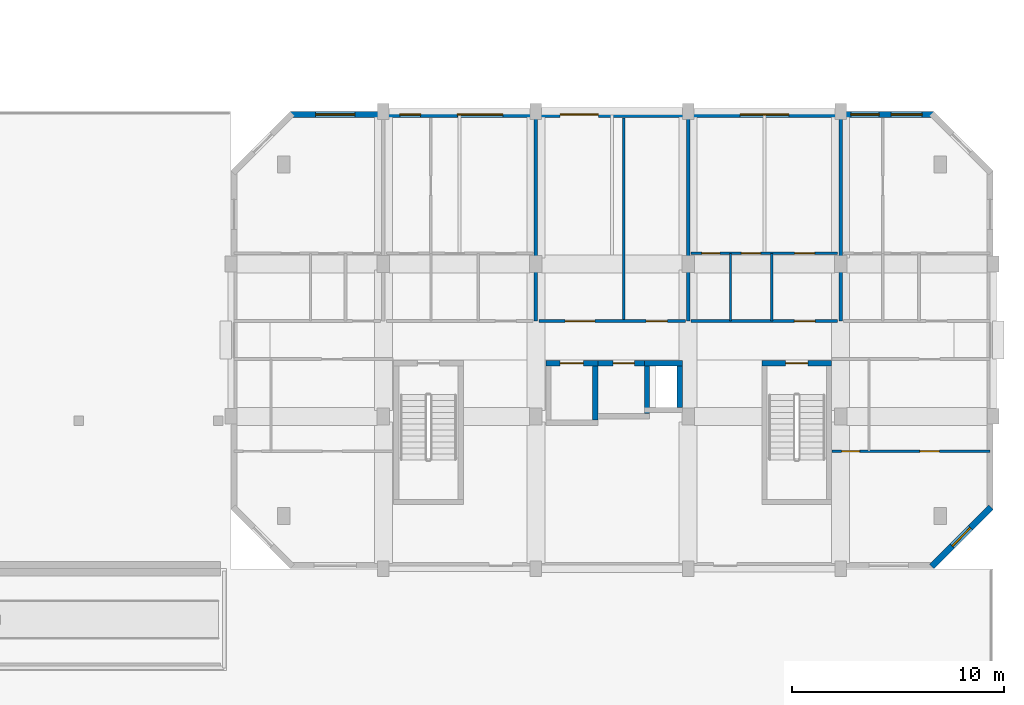
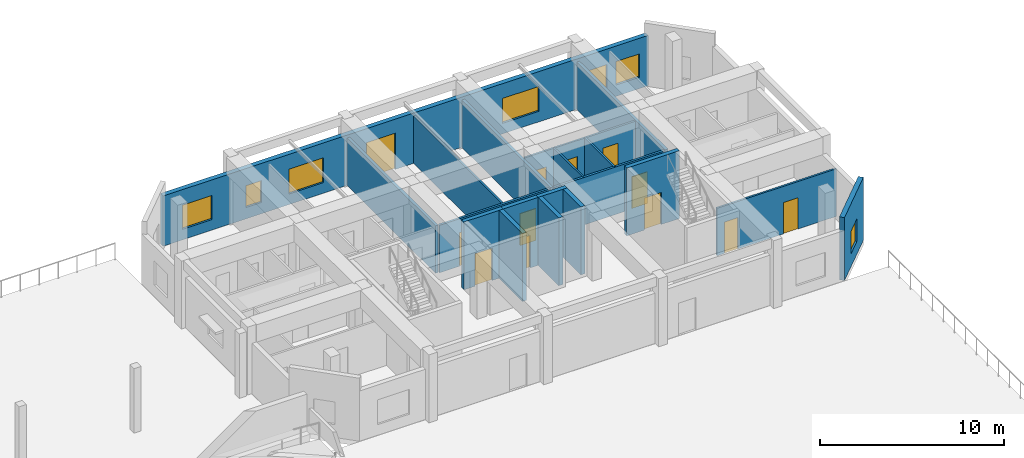
# One storey, part 69 of 85: 19 walls, 12 doors, 7 windows, 19 openings.
"""IFC4 building model written with IfcOpenShell, lengths in metres."""

from ifc_helpers import new_model, si_unit, direction, frame, frame_2d, origin, place, context, subcontext, project, spatial, rectangle, extrude, material, layer, layer_set, type_object, element, fill, save


model = new_model("IFC4")

# Units and contexts
model_context = context("Model", 3, precision=1e-05, world=origin(), true_north=direction((0.0, 1.0)))
body_context = subcontext(model_context, "Body", "Model", "MODEL_VIEW")
ifc_project = project(units=[si_unit("LENGTHUNIT", "METRE"), si_unit("AREAUNIT", "SQUARE_METRE"), si_unit("VOLUMEUNIT", "CUBIC_METRE"), si_unit("PLANEANGLEUNIT", "RADIAN"), si_unit("MASSUNIT", "GRAM", prefix="KILO")], contexts=[model_context])

# Site, building, storey
site_placement = place(None, origin())
site = spatial("IfcSite", under=ifc_project, at=site_placement, CompositionType="ELEMENT")
building_placement = place(site_placement, origin())
building = spatial("IfcBuilding", under=site, at=building_placement, Name="Ochrevale Crest", CompositionType="ELEMENT")
storey_placement = place(building_placement, origin())
storey = spatial("IfcBuildingStorey", under=building, at=storey_placement, Name="L00", CompositionType="ELEMENT", Elevation=0.0)

# Wall, openings, doors
ifc_material_1 = material(Name="Gypsum plasterboard", Category="gypsum")
ifc_layer_1 = layer(ifc_material_1, 0.139892578125)
ifc_layer_set_1 = layer_set([ifc_layer_1], Name="Gypsum plasterboard")
wall_type_1 = type_object("IfcWallType", Name="WL-COR-140", PredefinedType="PARTITIONING", material=ifc_layer_set_1)
wall_1_placement = place(storey_placement, frame((144.139892578125, 83.699951171875, 0.0), z_axis=(0.0, 0.0, 1.0), x_axis=(1.0, 0.0, 0.0)))
wall_1 = element("IfcWall", 1, at=wall_1_placement, inside=storey, type_object=wall_type_1, Name="Block D ground lobby corridor wall", PredefinedType="PARTITIONING", context=body_context, shape_type="SweptSolid", body=[
    extrude(rectangle(XDim=6.920166015625, YDim=0.139892578125, at=frame_2d((3.4599609375, 0.0))), origin(), (0.0, 0.0, 1.0), 3.14990234375),
])
opening_1_placement = place(wall_1_placement, frame((2.64990234375, 0.0, 0.0), z_axis=(0.0, 0.0, 1.0), x_axis=(-1.0, 0.0, 0.0)))
opening_1 = element("IfcOpeningElement", 2, at=opening_1_placement, cuts=wall_1, Name="Opening ID10", PredefinedType="OPENING", context=body_context, shape_type="SweptSolid", body=[
    extrude(rectangle(XDim=1.39990234375, YDim=2.219970703125, at=frame_2d((0.699951171875, 1.10986328125))), frame((0.0, 0.080078125, 0.0), z_axis=(0.0, -1.0, 0.0), x_axis=(1.0, 0.0, 0.0)), (0.0, 0.0, 1.0), 0.159912109375),
])
opening_2_placement = place(wall_1_placement, frame((5.070068359375, 0.0, 0.0)))
opening_2 = element("IfcOpeningElement", 3, at=opening_2_placement, cuts=wall_1, Name="Opening ID07", PredefinedType="OPENING", context=body_context, shape_type="SweptSolid", body=[
    extrude(rectangle(XDim=1.0, YDim=2.1201171875, at=frame_2d((0.5, 1.06005859375))), frame((0.0, 0.080078125, 0.0), z_axis=(0.0, -1.0, 0.0), x_axis=(1.0, 0.0, 0.0)), (0.0, 0.0, 1.0), 0.159912109375),
])
ifc_material_2 = material(Name="Solid-core FSC hardwood", Category="wood")
door_type_1 = type_object("IfcDoorType", Name="DR-INT-1000", OperationType="NOTDEFINED", PredefinedType="DOOR", material=ifc_material_2)
door_1_placement = place(opening_2_placement, origin())
door_1 = element("IfcDoor", 4, at=door_1_placement, inside=storey, type_object=door_type_1, Name="Block D mail room door", OperationType="SINGLE_SWING_LEFT", OverallHeight=2.1201171875, OverallWidth=1.0, PredefinedType="DOOR", context=body_context, shape_type="SweptSolid", body=[
    extrude(rectangle(XDim=1.0, YDim=2.1201171875, at=frame_2d((0.5, 1.06005859375))), frame((0.0, 0.02490234375, 0.0), z_axis=(0.0, -1.0, 0.0), x_axis=(1.0, 0.0, 0.0)), (0.0, 0.0, 1.0), 0.050048828125),
])
fill(opening_2, door_1)
door_type_2 = type_object("IfcDoorType", Name="DR-INT-1400", OperationType="NOTDEFINED", PredefinedType="DOOR", material=ifc_material_2)
door_2_placement = place(opening_1_placement, origin())
door_2 = element("IfcDoor", 5, at=door_2_placement, inside=storey, type_object=door_type_2, Name="Block D entrance lobby inner door", OperationType="DOUBLE_DOOR_SINGLE_SWING", OverallHeight=2.219970703125, OverallWidth=1.39990234375, PredefinedType="DOOR", context=body_context, shape_type="SweptSolid", body=[
    extrude(rectangle(XDim=1.39990234375, YDim=2.219970703125, at=frame_2d((0.699951171875, 1.10986328125))), frame((0.0, 0.02490234375, 0.0), z_axis=(0.0, -1.0, 0.0), x_axis=(1.0, 0.0, 0.0)), (0.0, 0.0, 1.0), 0.050048828125),
])
fill(opening_1, door_2)

# Wall, opening, door
wall_2_placement = place(storey_placement, frame((151.340087890625, 83.699951171875, 0.0), z_axis=(0.0, 0.0, 1.0), x_axis=(1.0, 0.0, 0.0)))
wall_2 = element("IfcWall", 6, at=wall_2_placement, inside=storey, type_object=wall_type_1, Name="Apartment D-L00-U4 corridor wall", PredefinedType="PARTITIONING", context=body_context, shape_type="SweptSolid", body=[
    extrude(rectangle(XDim=6.919921875, YDim=0.139892578125, at=frame_2d((3.4599609375, 0.0))), origin(), (0.0, 0.0, 1.0), 3.14990234375),
])
opening_3_placement = place(wall_2_placement, frame((5.85009765625, 0.0, 0.0), z_axis=(0.0, 0.0, 1.0), x_axis=(-1.0, 0.0, 0.0)))
opening_3 = element("IfcOpeningElement", 7, at=opening_3_placement, cuts=wall_2, Name="Opening FD01", PredefinedType="OPENING", context=body_context, shape_type="SweptSolid", body=[
    extrude(rectangle(XDim=0.97998046875, YDim=2.10009765625, at=frame_2d((0.489990234375, 1.050048828125))), frame((0.0, 0.080078125, 0.0), z_axis=(0.0, -1.0, 0.0), x_axis=(1.0, 0.0, 0.0)), (0.0, 0.0, 1.0), 0.159912109375),
])
door_type_3 = type_object("IfcDoorType", Name="DR-APT-950", OperationType="NOTDEFINED", PredefinedType="DOOR", material=ifc_material_2)
door_3_placement = place(opening_3_placement, origin())
door_3 = element("IfcDoor", 8, at=door_3_placement, inside=storey, type_object=door_type_3, Name="Apartment D-L00-U4 entrance door", OperationType="SINGLE_SWING_RIGHT", OverallHeight=2.10009765625, OverallWidth=0.97998046875, PredefinedType="DOOR", context=body_context, shape_type="SweptSolid", body=[
    extrude(rectangle(XDim=0.97998046875, YDim=2.10009765625, at=frame_2d((0.489990234375, 1.050048828125))), frame((0.0, 0.02490234375, 0.0), z_axis=(0.0, -1.0, 0.0), x_axis=(1.0, 0.0, 0.0)), (0.0, 0.0, 1.0), 0.050048828125),
])
fill(opening_3, door_3)

ifc_material_3 = material(Name="Precast concrete C50/60", Category="concrete")
ifc_layer_2 = layer(ifc_material_3, 0.2548828125)
ifc_layer_set_2 = layer_set([ifc_layer_2], Name="Precast concrete C50/60")
wall_type_2 = type_object("IfcWallType", Name="WL-CORE-255", PredefinedType="SHEAR", material=ifc_layer_set_2)
wall_3_placement = place(storey_placement, frame((154.672607421875, 81.699951171875, 0.0), z_axis=(0.0, 0.0, 1.0), x_axis=(1.0, 0.0, 0.0)))
wall_3 = element("IfcWall", 9, at=wall_3_placement, inside=storey, type_object=wall_type_2, Name="Block D L00 Stair 2 precast core shear wall N", PredefinedType="SHEAR", context=body_context, shape_type="SweptSolid", body=[
    extrude(rectangle(XDim=3.304931640625, YDim=0.2548828125, at=frame_2d((1.65234375, 0.0))), origin(), (0.0, 0.0, 1.0), 4.5),
])
opening_4_placement = place(wall_3_placement, frame((1.12744140625, 0.0, 0.0)))
opening_4 = element("IfcOpeningElement", 10, at=opening_4_placement, cuts=wall_3, Name="Opening FD03", PredefinedType="OPENING", context=body_context, shape_type="SweptSolid", body=[
    extrude(rectangle(XDim=1.050048828125, YDim=2.1201171875, at=frame_2d((0.52490234375, 1.06005859375))), frame((0.0, 0.137451171875, 0.0), z_axis=(0.0, -1.0, 0.0), x_axis=(1.0, 0.0, 0.0)), (0.0, 0.0, 1.0), 0.27490234375),
])
door_type_4 = type_object("IfcDoorType", Name="DR-ST-1050", OperationType="NOTDEFINED", PredefinedType="DOOR", material=ifc_material_2)
door_4_placement = place(opening_4_placement, origin())
door_4 = element("IfcDoor", 11, at=door_4_placement, inside=storey, type_object=door_type_4, Name="Block D L00 fire stair 2 door", OperationType="SINGLE_SWING_LEFT", OverallHeight=2.1201171875, OverallWidth=1.050048828125, PredefinedType="DOOR", context=body_context, shape_type="SweptSolid", body=[
    extrude(rectangle(XDim=1.050048828125, YDim=2.1201171875, at=frame_2d((0.52490234375, 1.06005859375))), frame((0.0, 0.02490234375, 0.0), z_axis=(0.0, -1.0, 0.0), x_axis=(1.0, 0.0, 0.0)), (0.0, 0.0, 1.0), 0.050048828125),
])
fill(opening_4, door_4)

wall_4_placement = place(storey_placement, frame((144.472412109375, 81.699951171875, 0.0), z_axis=(0.0, 0.0, 1.0), x_axis=(1.0, 0.0, 0.0)))
wall_4 = element("IfcWall", 12, at=wall_4_placement, inside=storey, type_object=wall_type_2, Name="Block D L00 Lift 1 precast shaft shear wall N", PredefinedType="SHEAR", context=body_context, shape_type="SweptSolid", body=[
    extrude(rectangle(XDim=2.455078125, YDim=0.2548828125, at=frame_2d((1.2275390625, 0.0))), origin(), (0.0, 0.0, 1.0), 4.5),
])
opening_5_placement = place(wall_4_placement, frame((0.677490234375, 0.0, 0.0)))
opening_5 = element("IfcOpeningElement", 13, at=opening_5_placement, cuts=wall_4, Name="Opening LD01", PredefinedType="OPENING", context=body_context, shape_type="SweptSolid", body=[
    extrude(rectangle(XDim=1.10009765625, YDim=2.14990234375, at=frame_2d((0.550048828125, 1.074951171875))), frame((0.0, 0.137451171875, 0.0), z_axis=(0.0, -1.0, 0.0), x_axis=(1.0, 0.0, 0.0)), (0.0, 0.0, 1.0), 0.27490234375),
])
door_type_5 = type_object("IfcDoorType", Name="DR-LIFT-1100", OperationType="NOTDEFINED", PredefinedType="DOOR", material=ifc_material_2)
door_5_placement = place(opening_5_placement, origin())
door_5 = element("IfcDoor", 14, at=door_5_placement, inside=storey, type_object=door_type_5, Name="Lift LF-D1 L00 sliding landing door", OperationType="SLIDING_TO_LEFT", OverallHeight=2.14990234375, OverallWidth=1.10009765625, PredefinedType="DOOR", context=body_context, shape_type="SweptSolid", body=[
    extrude(rectangle(XDim=1.10009765625, YDim=2.14990234375, at=frame_2d((0.550048828125, 1.074951171875))), frame((0.0, 0.02490234375, 0.0), z_axis=(0.0, -1.0, 0.0), x_axis=(1.0, 0.0, 0.0)), (0.0, 0.0, 1.0), 0.050048828125),
])
fill(opening_5, door_5)

# Wall
wall_5_placement = place(storey_placement, frame((146.800048828125, 79.027587890625, 0.0), z_axis=(0.0, 0.0, 1.0), x_axis=(0.0, 1.0, 0.0)))
element("IfcWall", 15, at=wall_5_placement, inside=storey, type_object=wall_type_2, Name="Block D L00 Lift 1 precast shaft shear wall E", PredefinedType="SHEAR", context=body_context, shape_type="SweptSolid", body=[
    extrude(rectangle(XDim=2.544921875, YDim=0.2548828125, at=frame_2d((1.2724609375, 0.0))), origin(), (0.0, 0.0, 1.0), 4.5),
])

# Wall, opening, door
wall_6_placement = place(storey_placement, frame((146.922607421875, 81.699951171875, 0.0), z_axis=(0.0, 0.0, 1.0), x_axis=(1.0, 0.0, 0.0)))
wall_6 = element("IfcWall", 16, at=wall_6_placement, inside=storey, type_object=wall_type_2, Name="Block D L00 Lift 2 precast shaft shear wall N", PredefinedType="SHEAR", context=body_context, shape_type="SweptSolid", body=[
    extrude(rectangle(XDim=2.454833984375, YDim=0.2548828125, at=frame_2d((1.2275390625, 0.0))), origin(), (0.0, 0.0, 1.0), 4.5),
])
opening_6_placement = place(wall_6_placement, frame((0.7275390625, 0.0, 0.0)))
opening_6 = element("IfcOpeningElement", 17, at=opening_6_placement, cuts=wall_6, Name="Opening LD02", PredefinedType="OPENING", context=body_context, shape_type="SweptSolid", body=[
    extrude(rectangle(XDim=1.0, YDim=2.14990234375, at=frame_2d((0.5, 1.074951171875))), frame((0.0, 0.137451171875, 0.0), z_axis=(0.0, -1.0, 0.0), x_axis=(1.0, 0.0, 0.0)), (0.0, 0.0, 1.0), 0.27490234375),
])
door_type_6 = type_object("IfcDoorType", Name="DR-LIFT-1000", OperationType="NOTDEFINED", PredefinedType="DOOR", material=ifc_material_2)
door_6_placement = place(opening_6_placement, origin())
door_6 = element("IfcDoor", 18, at=door_6_placement, inside=storey, type_object=door_type_6, Name="Lift LP-D2 L00 sliding landing door", OperationType="SLIDING_TO_RIGHT", OverallHeight=2.14990234375, OverallWidth=1.0, PredefinedType="DOOR", context=body_context, shape_type="SweptSolid", body=[
    extrude(rectangle(XDim=1.0, YDim=2.14990234375, at=frame_2d((0.5, 1.074951171875))), frame((0.0, 0.02490234375, 0.0), z_axis=(0.0, -1.0, 0.0), x_axis=(1.0, 0.0, 0.0)), (0.0, 0.0, 1.0), 0.050048828125),
])
fill(opening_6, door_6)

# Walls
wall_7_placement = place(storey_placement, frame((149.25, 79.327392578125, 0.0), z_axis=(0.0, 0.0, 1.0), x_axis=(0.0, 1.0, 0.0)))
element("IfcWall", 19, at=wall_7_placement, inside=storey, type_object=wall_type_2, Name="Block D L00 Lift 2 precast shaft shear wall E", PredefinedType="SHEAR", context=body_context, shape_type="SweptSolid", body=[
    extrude(rectangle(XDim=2.2451171875, YDim=0.2548828125, at=frame_2d((1.12255859375, 0.0))), origin(), (0.0, 0.0, 1.0), 4.5),
])
wall_8_placement = place(storey_placement, frame((149.12255859375, 81.699951171875, 0.0), z_axis=(0.0, 0.0, 1.0), x_axis=(1.0, 0.0, 0.0)))
element("IfcWall", 20, at=wall_8_placement, inside=storey, type_object=wall_type_2, Name="Block D L00 services riser shaft core wall N", PredefinedType="SHEAR", context=body_context, shape_type="SweptSolid", body=[
    extrude(rectangle(XDim=1.804931640625, YDim=0.2548828125, at=frame_2d((0.90234375, 0.0))), origin(), (0.0, 0.0, 1.0), 4.5),
])
wall_9_placement = place(storey_placement, frame((150.800048828125, 79.62744140625, 0.0), z_axis=(0.0, 0.0, 1.0), x_axis=(0.0, 1.0, 0.0)))
element("IfcWall", 21, at=wall_9_placement, inside=storey, type_object=wall_type_2, Name="Block D L00 services riser shaft core wall E", PredefinedType="SHEAR", context=body_context, shape_type="SweptSolid", body=[
    extrude(rectangle(XDim=1.945068359375, YDim=0.2548828125, at=frame_2d((0.97265625, 0.0))), origin(), (0.0, 0.0, 1.0), 4.5),
])

# Wall, opening, window
ifc_material_4 = material(Name="Clay face brickwork", Category="masonry")
ifc_layer_3 = layer(ifc_material_4, 0.2900390625)
ifc_layer_set_3 = layer_set([ifc_layer_3], Name="Clay face brickwork")
wall_type_3 = type_object("IfcWallType", Name="WL-EXT-BRICK-290", PredefinedType="SOLIDWALL", material=ifc_layer_set_3)
wall_10_placement = place(storey_placement, frame((162.697509765625, 72.1025390625, 0.0), z_axis=(0.0, 0.0, 1.0), x_axis=(0.707106781187, 0.707106781187, 0.0)))
wall_10 = element("IfcWall", 22, at=wall_10_placement, inside=storey, type_object=wall_type_3, Name="Block D L00 external facade wall E2", PredefinedType="SOLIDWALL", context=body_context, shape_type="SweptSolid", body=[
    extrude(rectangle(XDim=3.9599609375, YDim=0.2900390625, at=frame_2d((1.97998046875, 0.0))), origin(), (0.0, 0.0, 1.0), 4.175048828125),
])
opening_7_placement = place(wall_10_placement, frame((1.369873046875, 0.0, 0.85009765625)))
opening_7 = element("IfcOpeningElement", 23, at=opening_7_placement, cuts=wall_10, Name="Opening W06", PredefinedType="OPENING", context=body_context, shape_type="SweptSolid", body=[
    extrude(rectangle(XDim=1.219970703125, YDim=1.5, at=frame_2d((0.60986328125, 0.75))), frame((0.0, 0.155029296875, 0.0), z_axis=(0.0, -1.0, 0.0), x_axis=(1.0, 0.0, 0.0)), (0.0, 0.0, 1.0), 0.31005859375),
])
ifc_material_5 = material(Name="Anodised aluminium 6063-T5 and low-E double glazing", Category="aluminium")
window_type_1 = type_object("IfcWindowType", Name="WIN-W06", PartitioningType="SINGLE_PANEL", PredefinedType="WINDOW", material=ifc_material_5)
window_1_placement = place(opening_7_placement, origin())
window_1 = element("IfcWindow", 24, at=window_1_placement, inside=storey, type_object=window_type_1, Name="Block D L00 corner room casement window 2", OverallHeight=1.5, OverallWidth=1.219970703125, PartitioningType="SINGLE_PANEL", PredefinedType="WINDOW", context=body_context, shape_type="SweptSolid", body=[
    extrude(rectangle(XDim=1.219970703125, YDim=1.5, at=frame_2d((0.60986328125, 0.75))), frame((0.0, 0.030029296875, 0.0), z_axis=(0.0, -1.0, 0.0), x_axis=(1.0, 0.0, 0.0)), (0.0, 0.0, 1.0), 0.06005859375),
])
fill(opening_7, window_1)

# Wall, openings, door, windows
wall_11_placement = place(storey_placement, frame((162.800048828125, 93.455078125, 0.0), z_axis=(0.0, 0.0, 1.0), x_axis=(-1.0, 0.0, 0.0)))
wall_11 = element("IfcWall", 25, at=wall_11_placement, inside=storey, type_object=wall_type_3, Name="Block D L00 external facade wall E5", PredefinedType="SOLIDWALL", context=body_context, shape_type="SweptSolid", body=[
    extrude(rectangle(XDim=30.400146484375, YDim=0.2900390625, at=frame_2d((15.2001953125, 0.0))), origin(), (0.0, 0.0, 1.0), 3.330078125),
])
opening_8_placement = place(wall_11_placement, frame((17.650146484375, 0.0, 0.0), z_axis=(0.0, 0.0, 1.0), x_axis=(-1.0, 0.0, 0.0)))
opening_8 = element("IfcOpeningElement", 26, at=opening_8_placement, cuts=wall_11, Name="Opening ED01", PredefinedType="OPENING", context=body_context, shape_type="SweptSolid", body=[
    extrude(rectangle(XDim=1.800048828125, YDim=2.39990234375, at=frame_2d((0.89990234375, 1.199951171875))), frame((0.0, 0.155029296875, 0.0), z_axis=(0.0, -1.0, 0.0), x_axis=(1.0, 0.0, 0.0)), (0.0, 0.0, 1.0), 0.31005859375),
])
opening_9_placement = place(wall_11_placement, frame((27.342529296875, 0.0, 0.699951171875)))
opening_9 = element("IfcOpeningElement", 27, at=opening_9_placement, cuts=wall_11, Name="Opening W11", PredefinedType="OPENING", context=body_context, shape_type="SweptSolid", body=[
    extrude(rectangle(XDim=1.860107421875, YDim=1.60009765625, at=frame_2d((0.93017578125, 0.800048828125))), frame((0.0, 0.155029296875, 0.0), z_axis=(0.0, -1.0, 0.0), x_axis=(1.0, 0.0, 0.0)), (0.0, 0.0, 1.0), 0.31005859375),
])
opening_10_placement = place(wall_11_placement, frame((24.237548828125, 0.0, 0.75)))
opening_10 = element("IfcOpeningElement", 28, at=opening_10_placement, cuts=wall_11, Name="Opening W04", PredefinedType="OPENING", context=body_context, shape_type="SweptSolid", body=[
    extrude(rectangle(XDim=0.97998046875, YDim=1.449951171875, at=frame_2d((0.489990234375, 0.72509765625))), frame((0.0, 0.155029296875, 0.0), z_axis=(0.0, -1.0, 0.0), x_axis=(1.0, 0.0, 0.0)), (0.0, 0.0, 1.0), 0.31005859375),
])
opening_11_placement = place(wall_11_placement, frame((20.357421875, 0.0, 0.699951171875)))
opening_11 = element("IfcOpeningElement", 29, at=opening_11_placement, cuts=wall_11, Name="Opening W13", PredefinedType="OPENING", context=body_context, shape_type="SweptSolid", body=[
    extrude(rectangle(XDim=2.14990234375, YDim=1.64990234375, at=frame_2d((1.074951171875, 0.824951171875))), frame((0.0, 0.155029296875, 0.0), z_axis=(0.0, -1.0, 0.0), x_axis=(1.0, 0.0, 0.0)), (0.0, 0.0, 1.0), 0.31005859375),
])
opening_12_placement = place(wall_11_placement, frame((6.85009765625, 0.0, 0.699951171875)))
opening_12 = element("IfcOpeningElement", 30, at=opening_12_placement, cuts=wall_11, Name="Opening W14", PredefinedType="OPENING", context=body_context, shape_type="SweptSolid", body=[
    extrude(rectangle(XDim=2.300048828125, YDim=1.64990234375, at=frame_2d((1.14990234375, 0.824951171875))), frame((0.0, 0.155029296875, 0.0), z_axis=(0.0, -1.0, 0.0), x_axis=(1.0, 0.0, 0.0)), (0.0, 0.0, 1.0), 0.31005859375),
])
opening_13_placement = place(wall_11_placement, frame((2.58251953125, 0.0, 0.75)))
opening_13 = element("IfcOpeningElement", 31, at=opening_13_placement, cuts=wall_11, Name="Opening W07", PredefinedType="OPENING", context=body_context, shape_type="SweptSolid", body=[
    extrude(rectangle(XDim=1.340087890625, YDim=1.550048828125, at=frame_2d((0.669921875, 0.77490234375))), frame((0.0, 0.155029296875, 0.0), z_axis=(0.0, -1.0, 0.0), x_axis=(1.0, 0.0, 0.0)), (0.0, 0.0, 1.0), 0.31005859375),
])
opening_14_placement = place(wall_11_placement, frame((0.554931640625, 0.0, 0.75)))
opening_14 = element("IfcOpeningElement", 32, at=opening_14_placement, cuts=wall_11, Name="Opening W08", PredefinedType="OPENING", context=body_context, shape_type="SweptSolid", body=[
    extrude(rectangle(XDim=1.4599609375, YDim=1.550048828125, at=frame_2d((0.72998046875, 0.77490234375))), frame((0.0, 0.155029296875, 0.0), z_axis=(0.0, -1.0, 0.0), x_axis=(1.0, 0.0, 0.0)), (0.0, 0.0, 1.0), 0.31005859375),
])
ifc_material_6 = material(Name="Anodised aluminium 6063-T5 and toughened glass", Category="aluminium")
door_type_7 = type_object("IfcDoorType", Name="DR-EXT-1800", OperationType="NOTDEFINED", PredefinedType="DOOR", material=ifc_material_6)
door_7_placement = place(opening_8_placement, origin())
door_7 = element("IfcDoor", 33, at=door_7_placement, inside=storey, type_object=door_type_7, Name="Block D main ground entrance double door", OperationType="DOUBLE_DOOR_SINGLE_SWING", OverallHeight=2.39990234375, OverallWidth=1.800048828125, PredefinedType="DOOR", context=body_context, shape_type="SweptSolid", body=[
    extrude(rectangle(XDim=1.800048828125, YDim=2.39990234375, at=frame_2d((0.89990234375, 1.199951171875))), frame((0.0, 0.02490234375, 0.0), z_axis=(0.0, -1.0, 0.0), x_axis=(1.0, 0.0, 0.0)), (0.0, 0.0, 1.0), 0.050048828125),
])
fill(opening_8, door_7)
window_type_2 = type_object("IfcWindowType", Name="WIN-W04", PartitioningType="SINGLE_PANEL", PredefinedType="WINDOW", material=ifc_material_5)
window_2_placement = place(opening_10_placement, origin())
window_2 = element("IfcWindow", 34, at=window_2_placement, inside=storey, type_object=window_type_2, Name="Block D L00 Apartment D-L00-U2 Master Bedroom window", OverallHeight=1.449951171875, OverallWidth=0.97998046875, PartitioningType="SINGLE_PANEL", PredefinedType="WINDOW", context=body_context, shape_type="SweptSolid", body=[
    extrude(rectangle(XDim=0.97998046875, YDim=1.449951171875, at=frame_2d((0.489990234375, 0.72509765625))), frame((0.0, 0.030029296875, 0.0), z_axis=(0.0, -1.0, 0.0), x_axis=(1.0, 0.0, 0.0)), (0.0, 0.0, 1.0), 0.06005859375),
])
fill(opening_10, window_2)
window_type_3 = type_object("IfcWindowType", Name="WIN-W07", PartitioningType="SINGLE_PANEL", PredefinedType="WINDOW", material=ifc_material_5)
window_3_placement = place(opening_13_placement, origin())
window_3 = element("IfcWindow", 35, at=window_3_placement, inside=storey, type_object=window_type_3, Name="Block D L00 Apartment D-L00-U5 Double Bedroom window", OverallHeight=1.550048828125, OverallWidth=1.340087890625, PartitioningType="SINGLE_PANEL", PredefinedType="WINDOW", context=body_context, shape_type="SweptSolid", body=[
    extrude(rectangle(XDim=1.340087890625, YDim=1.550048828125, at=frame_2d((0.669921875, 0.77490234375))), frame((0.0, 0.030029296875, 0.0), z_axis=(0.0, -1.0, 0.0), x_axis=(1.0, 0.0, 0.0)), (0.0, 0.0, 1.0), 0.06005859375),
])
fill(opening_13, window_3)
window_type_4 = type_object("IfcWindowType", Name="WIN-W08", PartitioningType="SINGLE_PANEL", PredefinedType="WINDOW", material=ifc_material_5)
window_4_placement = place(opening_14_placement, origin())
window_4 = element("IfcWindow", 36, at=window_4_placement, inside=storey, type_object=window_type_4, Name="Block D L00 Apartment D-L00-U5 Two Bedroom Living Room window", OverallHeight=1.550048828125, OverallWidth=1.4599609375, PartitioningType="SINGLE_PANEL", PredefinedType="WINDOW", context=body_context, shape_type="SweptSolid", body=[
    extrude(rectangle(XDim=1.4599609375, YDim=1.550048828125, at=frame_2d((0.72998046875, 0.77490234375))), frame((0.0, 0.030029296875, 0.0), z_axis=(0.0, -1.0, 0.0), x_axis=(1.0, 0.0, 0.0)), (0.0, 0.0, 1.0), 0.06005859375),
])
fill(opening_14, window_4)
window_type_5 = type_object("IfcWindowType", Name="WIN-W11", PartitioningType="SINGLE_PANEL", PredefinedType="WINDOW", material=ifc_material_5)
window_5_placement = place(opening_9_placement, origin())
window_5 = element("IfcWindow", 37, at=window_5_placement, inside=storey, type_object=window_type_5, Name="Block D L00 Studio D-L00-U1 Living Room window", OverallHeight=1.60009765625, OverallWidth=1.860107421875, PartitioningType="SINGLE_PANEL", PredefinedType="WINDOW", context=body_context, shape_type="SweptSolid", body=[
    extrude(rectangle(XDim=1.860107421875, YDim=1.60009765625, at=frame_2d((0.93017578125, 0.800048828125))), frame((0.0, 0.030029296875, 0.0), z_axis=(0.0, -1.0, 0.0), x_axis=(1.0, 0.0, 0.0)), (0.0, 0.0, 1.0), 0.06005859375),
])
fill(opening_9, window_5)
window_type_6 = type_object("IfcWindowType", Name="WIN-W13", PartitioningType="SINGLE_PANEL", PredefinedType="WINDOW", material=ifc_material_5)
window_6_placement = place(opening_11_placement, origin())
window_6 = element("IfcWindow", 38, at=window_6_placement, inside=storey, type_object=window_type_6, Name="Block D L00 Apartment D-L00-U2 One Bedroom Living Room window", OverallHeight=1.64990234375, OverallWidth=2.14990234375, PartitioningType="SINGLE_PANEL", PredefinedType="WINDOW", context=body_context, shape_type="SweptSolid", body=[
    extrude(rectangle(XDim=2.14990234375, YDim=1.64990234375, at=frame_2d((1.074951171875, 0.824951171875))), frame((0.0, 0.030029296875, 0.0), z_axis=(0.0, -1.0, 0.0), x_axis=(1.0, 0.0, 0.0)), (0.0, 0.0, 1.0), 0.06005859375),
])
fill(opening_11, window_6)
window_type_7 = type_object("IfcWindowType", Name="WIN-W14", PartitioningType="SINGLE_PANEL", PredefinedType="WINDOW", material=ifc_material_5)
window_7_placement = place(opening_12_placement, origin())
window_7 = element("IfcWindow", 39, at=window_7_placement, inside=storey, type_object=window_type_7, Name="Block D L00 Studio D-L00-U4 Living Room window", OverallHeight=1.64990234375, OverallWidth=2.300048828125, PartitioningType="SINGLE_PANEL", PredefinedType="WINDOW", context=body_context, shape_type="SweptSolid", body=[
    extrude(rectangle(XDim=2.300048828125, YDim=1.64990234375, at=frame_2d((1.14990234375, 0.824951171875))), frame((0.0, 0.030029296875, 0.0), z_axis=(0.0, -1.0, 0.0), x_axis=(1.0, 0.0, 0.0)), (0.0, 0.0, 1.0), 0.06005859375),
])
fill(opening_12, window_7)

# Walls
ifc_layer_4 = layer(ifc_material_1, 0.1201171875)
ifc_layer_set_4 = layer_set([ifc_layer_4], Name="Gypsum plasterboard")
wall_type_4 = type_object("IfcWallType", Name="WL-PART-120", PredefinedType="PARTITIONING", material=ifc_layer_set_4)
wall_12_placement = place(storey_placement, frame((148.153564453125, 83.699951171875, 0.0), z_axis=(0.0, 0.0, 1.0), x_axis=(0.0, 1.0, 0.0)))
element("IfcWall", 40, at=wall_12_placement, inside=storey, type_object=wall_type_4, Name="Block D lobby-mail divider", PredefinedType="PARTITIONING", context=body_context, shape_type="SweptSolid", body=[
    extrude(rectangle(XDim=9.60009765625, YDim=0.1201171875, at=frame_2d((4.800048828125, 0.0))), origin(), (0.0, 0.0, 1.0), 3.14990234375),
])
wall_13_placement = place(storey_placement, frame((155.139892578125, 83.699951171875, 0.0), z_axis=(0.0, 0.0, 1.0), x_axis=(0.0, 1.0, 0.0)))
element("IfcWall", 41, at=wall_13_placement, inside=storey, type_object=wall_type_4, Name="Apartment D-L00-U4 kitchen-foyer wall", PredefinedType="PARTITIONING", context=body_context, shape_type="SweptSolid", body=[
    extrude(rectangle(XDim=3.199951171875, YDim=0.1201171875, at=frame_2d((1.60009765625, 0.0))), origin(), (0.0, 0.0, 1.0), 3.14990234375),
])

# Wall, openings, doors
wall_14_placement = place(storey_placement, frame((151.340087890625, 86.89990234375, 0.0), z_axis=(0.0, 0.0, 1.0), x_axis=(1.0, 0.0, 0.0)))
wall_14 = element("IfcWall", 42, at=wall_14_placement, inside=storey, type_object=wall_type_4, Name="Apartment D-L00-U4 central partition", PredefinedType="PARTITIONING", context=body_context, shape_type="SweptSolid", body=[
    extrude(rectangle(XDim=6.919921875, YDim=0.1201171875, at=frame_2d((3.4599609375, 0.0))), origin(), (0.0, 0.0, 1.0), 3.14990234375),
])
opening_15_placement = place(wall_14_placement, frame((0.5, 0.0, 0.0)))
opening_15 = element("IfcOpeningElement", 43, at=opening_15_placement, cuts=wall_14, Name="Opening ID01", PredefinedType="OPENING", context=body_context, shape_type="SweptSolid", body=[
    extrude(rectangle(XDim=0.85009765625, YDim=2.080078125, at=frame_2d((0.425048828125, 1.0400390625))), frame((0.0, 0.070068359375, 0.0), z_axis=(0.0, -1.0, 0.0), x_axis=(1.0, 0.0, 0.0)), (0.0, 0.0, 1.0), 0.14013671875),
])
opening_16_placement = place(wall_14_placement, frame((3.27490234375, 0.0, 0.0), z_axis=(0.0, 0.0, 1.0), x_axis=(-1.0, 0.0, 0.0)))
opening_16 = element("IfcOpeningElement", 44, at=opening_16_placement, cuts=wall_14, Name="Opening ID02", PredefinedType="OPENING", context=body_context, shape_type="SweptSolid", body=[
    extrude(rectangle(XDim=0.89990234375, YDim=2.080078125, at=frame_2d((0.449951171875, 1.0400390625))), frame((0.0, 0.070068359375, 0.0), z_axis=(0.0, -1.0, 0.0), x_axis=(1.0, 0.0, 0.0)), (0.0, 0.0, 1.0), 0.14013671875),
])
opening_17_placement = place(wall_14_placement, frame((4.885009765625, 0.0, 0.0)))
opening_17 = element("IfcOpeningElement", 45, at=opening_17_placement, cuts=wall_14, Name="Opening ID06", PredefinedType="OPENING", context=body_context, shape_type="SweptSolid", body=[
    extrude(rectangle(XDim=0.949951171875, YDim=2.080078125, at=frame_2d((0.47509765625, 1.0400390625))), frame((0.0, 0.070068359375, 0.0), z_axis=(0.0, -1.0, 0.0), x_axis=(1.0, 0.0, 0.0)), (0.0, 0.0, 1.0), 0.14013671875),
])
door_type_8 = type_object("IfcDoorType", Name="DR-INT-900", OperationType="NOTDEFINED", PredefinedType="DOOR", material=ifc_material_2)
door_8_placement = place(opening_16_placement, origin())
door_8 = element("IfcDoor", 46, at=door_8_placement, inside=storey, type_object=door_type_8, Name="Apartment D-L00-U4 Kitchen door", OperationType="SINGLE_SWING_RIGHT", OverallHeight=2.080078125, OverallWidth=0.89990234375, PredefinedType="DOOR", context=body_context, shape_type="SweptSolid", body=[
    extrude(rectangle(XDim=0.89990234375, YDim=2.080078125, at=frame_2d((0.449951171875, 1.0400390625))), frame((0.0, 0.02490234375, 0.0), z_axis=(0.0, -1.0, 0.0), x_axis=(1.0, 0.0, 0.0)), (0.0, 0.0, 1.0), 0.050048828125),
])
fill(opening_16, door_8)
door_type_9 = type_object("IfcDoorType", Name="DR-INT-950", OperationType="NOTDEFINED", PredefinedType="DOOR", material=ifc_material_2)
door_9_placement = place(opening_17_placement, origin())
door_9 = element("IfcDoor", 47, at=door_9_placement, inside=storey, type_object=door_type_9, Name="Apartment D-L00-U4 Living Foyer door", OperationType="SINGLE_SWING_LEFT", OverallHeight=2.080078125, OverallWidth=0.949951171875, PredefinedType="DOOR", context=body_context, shape_type="SweptSolid", body=[
    extrude(rectangle(XDim=0.949951171875, YDim=2.080078125, at=frame_2d((0.47509765625, 1.0400390625))), frame((0.0, 0.02490234375, 0.0), z_axis=(0.0, -1.0, 0.0), x_axis=(1.0, 0.0, 0.0)), (0.0, 0.0, 1.0), 0.050048828125),
])
fill(opening_17, door_9)
door_type_10 = type_object("IfcDoorType", Name="DR-WC-850", OperationType="NOTDEFINED", PredefinedType="DOOR", material=ifc_material_2)
door_10_placement = place(opening_15_placement, origin())
door_10 = element("IfcDoor", 48, at=door_10_placement, inside=storey, type_object=door_type_10, Name="Apartment D-L00-U4 Bathroom door", OperationType="SINGLE_SWING_LEFT", OverallHeight=2.080078125, OverallWidth=0.85009765625, PredefinedType="DOOR", context=body_context, shape_type="SweptSolid", body=[
    extrude(rectangle(XDim=0.85009765625, YDim=2.080078125, at=frame_2d((0.425048828125, 1.0400390625))), frame((0.0, 0.02490234375, 0.0), z_axis=(0.0, -1.0, 0.0), x_axis=(1.0, 0.0, 0.0)), (0.0, 0.0, 1.0), 0.050048828125),
])
fill(opening_15, door_10)

wall_15_placement = place(storey_placement, frame((157.989990234375, 77.550048828125, 0.0), z_axis=(0.0, 0.0, 1.0), x_axis=(1.0, 0.0, 0.0)))
wall_15 = element("IfcWall", 49, at=wall_15_placement, inside=storey, type_object=wall_type_4, Name="Suite D-L00-CE internal wall", PredefinedType="PARTITIONING", context=body_context, shape_type="SweptSolid", body=[
    extrude(rectangle(XDim=7.469970703125, YDim=0.1201171875, at=frame_2d((3.73486328125, 0.0))), origin(), (0.0, 0.0, 1.0), 3.14990234375),
])
opening_18_placement = place(wall_15_placement, frame((0.449951171875, 0.0, 0.0)))
opening_18 = element("IfcOpeningElement", 50, at=opening_18_placement, cuts=wall_15, Name="Opening ID01", PredefinedType="OPENING", context=body_context, shape_type="SweptSolid", body=[
    extrude(rectangle(XDim=0.85009765625, YDim=2.080078125, at=frame_2d((0.425048828125, 1.0400390625))), frame((0.0, 0.070068359375, 0.0), z_axis=(0.0, -1.0, 0.0), x_axis=(1.0, 0.0, 0.0)), (0.0, 0.0, 1.0), 0.14013671875),
])
opening_19_placement = place(wall_15_placement, frame((5.06982421875, 0.0, 0.0), z_axis=(0.0, 0.0, 1.0), x_axis=(-1.0, 0.0, 0.0)))
opening_19 = element("IfcOpeningElement", 51, at=opening_19_placement, cuts=wall_15, Name="Opening ID04", PredefinedType="OPENING", context=body_context, shape_type="SweptSolid", body=[
    extrude(rectangle(XDim=0.919921875, YDim=2.080078125, at=frame_2d((0.4599609375, 1.0400390625))), frame((0.0, 0.070068359375, 0.0), z_axis=(0.0, -1.0, 0.0), x_axis=(1.0, 0.0, 0.0)), (0.0, 0.0, 1.0), 0.14013671875),
])
door_type_11 = type_object("IfcDoorType", Name="DR-INT-920", OperationType="NOTDEFINED", PredefinedType="DOOR", material=ifc_material_2)
door_11_placement = place(opening_19_placement, origin())
door_11 = element("IfcDoor", 52, at=door_11_placement, inside=storey, type_object=door_type_11, Name="Suite D-L00-CE Master Bedroom door", OperationType="SINGLE_SWING_RIGHT", OverallHeight=2.080078125, OverallWidth=0.919921875, PredefinedType="DOOR", context=body_context, shape_type="SweptSolid", body=[
    extrude(rectangle(XDim=0.919921875, YDim=2.080078125, at=frame_2d((0.4599609375, 1.0400390625))), frame((0.0, 0.02490234375, 0.0), z_axis=(0.0, -1.0, 0.0), x_axis=(1.0, 0.0, 0.0)), (0.0, 0.0, 1.0), 0.050048828125),
])
fill(opening_19, door_11)
door_12_placement = place(opening_18_placement, origin())
door_12 = element("IfcDoor", 53, at=door_12_placement, inside=storey, type_object=door_type_10, Name="Suite D-L00-CE Bathroom door", OperationType="SINGLE_SWING_LEFT", OverallHeight=2.080078125, OverallWidth=0.85009765625, PredefinedType="DOOR", context=body_context, shape_type="SweptSolid", body=[
    extrude(rectangle(XDim=0.85009765625, YDim=2.080078125, at=frame_2d((0.425048828125, 1.0400390625))), frame((0.0, 0.02490234375, 0.0), z_axis=(0.0, -1.0, 0.0), x_axis=(1.0, 0.0, 0.0)), (0.0, 0.0, 1.0), 0.050048828125),
])
fill(opening_18, door_12)

# Walls
ifc_layer_5 = layer(ifc_material_1, 0.169921875)
ifc_layer_set_5 = layer_set([ifc_layer_5], Name="Gypsum plasterboard")
wall_type_5 = type_object("IfcWallType", Name="WL-TEN-170", PredefinedType="PARTITIONING", material=ifc_layer_set_5)
for number, where, z_axis, x_axis, name in (
    (54, (144.0, 83.699951171875, 0.0), (0.0, 0.0, 1.0), (0.0, 1.0, 0.0), "Block D L00 inter-tenancy wall 2"),
    (55, (151.199951171875, 83.699951171875, 0.0), (0.0, 0.0, 1.0), (0.0, 1.0, 0.0), "Block D L00 inter-tenancy wall 3"),
    (56, (158.39990234375, 83.699951171875, 0.0), (0.0, 0.0, 1.0), (0.0, 1.0, 0.0), "Block D L00 inter-tenancy wall 4"),
):
    element("IfcWall", number, at=place(storey_placement, frame(where, z_axis=z_axis, x_axis=x_axis)), inside=storey, type_object=wall_type_5, Name=name, PredefinedType="PARTITIONING", context=body_context, shape_type="SweptSolid", body=[
        extrude(rectangle(XDim=9.60009765625, YDim=0.169921875, at=frame_2d((4.800048828125, 0.0))), origin(), (0.0, 0.0, 1.0), 3.14990234375),
    ])
ifc_layer_6 = layer(ifc_material_1, 0.10009765625)
ifc_layer_set_6 = layer_set([ifc_layer_6], Name="Gypsum plasterboard")
wall_type_6 = type_object("IfcWallType", Name="WL-WET-100", PredefinedType="PARTITIONING", material=ifc_layer_set_6)
wall_16_placement = place(storey_placement, frame((153.18994140625, 83.699951171875, 0.0), z_axis=(0.0, 0.0, 1.0), x_axis=(0.0, 1.0, 0.0)))
element("IfcWall", 57, at=wall_16_placement, inside=storey, type_object=wall_type_6, Name="Apartment D-L00-U4 bath-kitchen wall", PredefinedType="PARTITIONING", context=body_context, shape_type="SweptSolid", body=[
    extrude(rectangle(XDim=3.199951171875, YDim=0.10009765625, at=frame_2d((1.60009765625, 0.0))), origin(), (0.0, 0.0, 1.0), 3.14990234375),
])

save(model, "model.ifc")
